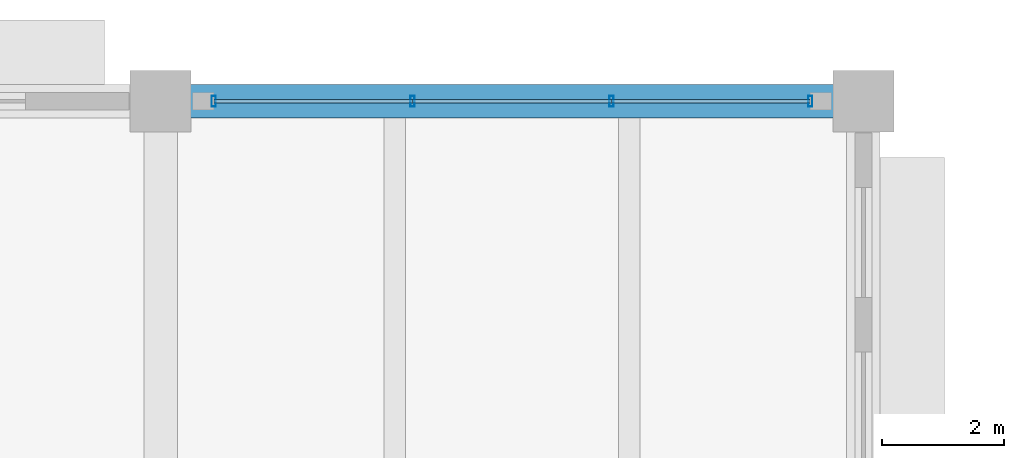
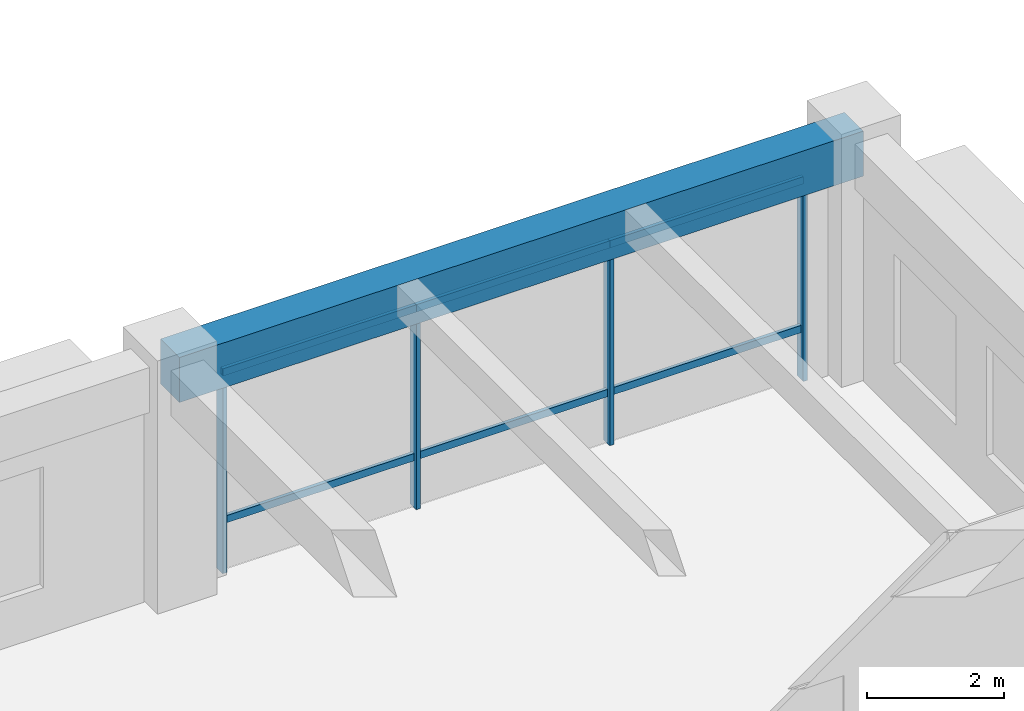
# One storey, part 74 of 154: 10 members, 1 beam, 1 element without a shape of its own.
"""IFC4 building model written with IfcOpenShell, lengths in metres."""

from ifc_helpers import new_model, si_unit, direction, frame, origin, origin_2d, place, context, subcontext, project, spatial, rectangle, hollow_rectangle, extrude, material, material_profile, profile_set, type_object, element, aggregate, save


model = new_model("IFC4")

# Units and contexts
model_context = context("Model", 3, precision=1e-05, world=origin(), true_north=direction((0.0, 1.0)))
body_context = subcontext(model_context, "Body", "Model", "MODEL_VIEW")
ifc_project = project(units=[si_unit("LENGTHUNIT", "METRE"), si_unit("AREAUNIT", "SQUARE_METRE"), si_unit("VOLUMEUNIT", "CUBIC_METRE"), si_unit("PLANEANGLEUNIT", "RADIAN"), si_unit("MASSUNIT", "GRAM", prefix="KILO")], contexts=[model_context])

# Site, building, storey
site_placement = place(None, origin())
site = spatial("IfcSite", under=ifc_project, at=site_placement, CompositionType="ELEMENT")
building_placement = place(site_placement, origin())
building = spatial("IfcBuilding", under=site, at=building_placement, Name="Ologun Quay Terminus", CompositionType="ELEMENT")
storey_placement = place(building_placement, frame((0.0, 0.0, 13.800048828125)))
storey = spatial("IfcBuildingStorey", under=building, at=storey_placement, Name="L03", CompositionType="ELEMENT", Elevation=13.800048828125)

# Beam
ifc_material_1 = material(Name="Concrete C40/50", Category="concrete")
ifc_material_profile_1 = material_profile(ifc_material_1, rectangle(XDim=0.550048828125, YDim=0.800048828125, at=origin_2d()), Name="RC 550x800")
ifc_profile_set_1 = profile_set([ifc_material_profile_1], Name="Concrete C40/50")
beam_type = type_object("IfcBeamType", Name="Courtyard Wing Primary Girder 550x800", PredefinedType="BEAM", material=ifc_profile_set_1)
beam_placement = place(storey_placement, frame((34.5, 114.800048828125, 3.849853515625), z_axis=(1.0, 0.0, 0.0), x_axis=(0.0, 1.0, 0.0)))
element("IfcBeam", 1, at=beam_placement, inside=storey, type_object=beam_type, Name="B4 Beam 4/K L03", PredefinedType="BEAM", context=body_context, shape_type="SweptSolid", body=[
    extrude(rectangle(XDim=0.550048828125, YDim=0.800048828125, at=origin_2d()), origin(), (0.0, 0.0, 1.0), 11.5),
])

# Curtain wall, members
ifc_material_2 = material(Name="Aluminium 6063-T6", Category="aluminium")
curtain_wall_type = type_object("IfcCurtainWallType", Name="Waterfront Pavilion Harbour Curtain Wall L03 10600x4150", PredefinedType="USERDEFINED", material=ifc_material_2)
curtain_wall_placement = place(storey_placement, origin())
curtain_wall = element("IfcCurtainWall", 2, at=curtain_wall_placement, inside=storey, type_object=curtain_wall_type, Name="CW-25 Curtain Wall CW-L03-114", ObjectType="UNITISED CURTAIN WALL", PredefinedType="USERDEFINED")
ifc_material_3 = material(Name="Aluminium 6063-T6", Category="aluminium")
ifc_material_profile_2 = material_profile(ifc_material_3, hollow_rectangle(XDim=0.070068359375, YDim=0.179931640625, WallThickness=0.0048828125, at=origin_2d()), Name="ALU 180x70x5")
ifc_profile_set_2 = profile_set([ifc_material_profile_2], Name="Aluminium 6063-T6")
member_type_1 = type_object("IfcMemberType", Name="Curtain Wall Heavy Mullion 180x70", PredefinedType="MULLION", material=ifc_profile_set_2)
member_1_placement = place(storey_placement, frame((35.3701171875, 114.800048828125, 0.0), z_axis=(0.0, 0.0, 1.0), x_axis=(1.0, 0.0, 0.0)))
member_1 = element("IfcMember", 3, at=member_1_placement, type_object=member_type_1, Name="CW-L03-114 Mullion 1", PredefinedType="MULLION", context=body_context, shape_type="SweptSolid", body=[
    extrude(hollow_rectangle(XDim=0.070068359375, YDim=0.179931640625, WallThickness=0.0048828125, at=origin_2d()), origin(), (0.0, 0.0, 1.0), 4.22998046875),
])
member_2_placement = place(storey_placement, frame((38.623291015625, 114.800048828125, 0.0), z_axis=(0.0, 0.0, 1.0), x_axis=(1.0, 0.0, 0.0)))
member_2 = element("IfcMember", 4, at=member_2_placement, type_object=member_type_1, Name="CW-L03-114 Mullion 2", PredefinedType="MULLION", context=body_context, shape_type="SweptSolid", body=[
    extrude(hollow_rectangle(XDim=0.070068359375, YDim=0.179931640625, WallThickness=0.0048828125, at=origin_2d()), origin(), (0.0, 0.0, 1.0), 4.22998046875),
])
member_3_placement = place(storey_placement, frame((41.876708984375, 114.800048828125, 0.0), z_axis=(0.0, 0.0, 1.0), x_axis=(1.0, 0.0, 0.0)))
member_3 = element("IfcMember", 5, at=member_3_placement, type_object=member_type_1, Name="CW-L03-114 Mullion 3", PredefinedType="MULLION", context=body_context, shape_type="SweptSolid", body=[
    extrude(hollow_rectangle(XDim=0.070068359375, YDim=0.179931640625, WallThickness=0.0048828125, at=origin_2d()), origin(), (0.0, 0.0, 1.0), 4.22998046875),
])
member_4_placement = place(storey_placement, frame((45.1298828125, 114.800048828125, 0.0), z_axis=(0.0, 0.0, 1.0), x_axis=(1.0, 0.0, 0.0)))
member_4 = element("IfcMember", 6, at=member_4_placement, type_object=member_type_1, Name="CW-L03-114 Mullion 4", PredefinedType="MULLION", context=body_context, shape_type="SweptSolid", body=[
    extrude(hollow_rectangle(XDim=0.070068359375, YDim=0.179931640625, WallThickness=0.0048828125, at=origin_2d()), origin(), (0.0, 0.0, 1.0), 4.22998046875),
])
ifc_material_4 = material(Name="Aluminium 6063-T6", Category="aluminium")
ifc_material_profile_3 = material_profile(ifc_material_4, hollow_rectangle(XDim=0.06005859375, YDim=0.1298828125, WallThickness=0.00390625, at=origin_2d()), Name="ALU 130x60x4")
ifc_profile_set_3 = profile_set([ifc_material_profile_3], Name="Aluminium 6063-T6")
member_type_2 = type_object("IfcMemberType", Name="Curtain Wall Heavy Transom 130x60", PredefinedType="USERDEFINED", material=ifc_profile_set_3)
member_5_placement = place(storey_placement, frame((35.3701171875, 114.800048828125, 0.89990234375), z_axis=(1.0, 0.0, 0.0), x_axis=(0.0, 1.0, 0.0)))
member_5 = element("IfcMember", 7, at=member_5_placement, type_object=member_type_2, Name="CW-L03-114 Transom B1-1", ObjectType="TRANSOM", PredefinedType="USERDEFINED", context=body_context, shape_type="SweptSolid", body=[
    extrude(hollow_rectangle(XDim=0.06005859375, YDim=0.1298828125, WallThickness=0.00390625, at=origin_2d()), origin(), (0.0, 0.0, 1.0), 3.253173828125),
])
member_6_placement = place(storey_placement, frame((35.3701171875, 114.800048828125, 3.530029296875), z_axis=(1.0, 0.0, 0.0), x_axis=(0.0, 1.0, 0.0)))
member_6 = element("IfcMember", 8, at=member_6_placement, type_object=member_type_2, Name="CW-L03-114 Transom B1-2", ObjectType="TRANSOM", PredefinedType="USERDEFINED", context=body_context, shape_type="SweptSolid", body=[
    extrude(hollow_rectangle(XDim=0.06005859375, YDim=0.1298828125, WallThickness=0.00390625, at=origin_2d()), origin(), (0.0, 0.0, 1.0), 3.253173828125),
])
member_7_placement = place(storey_placement, frame((38.623291015625, 114.800048828125, 0.89990234375), z_axis=(1.0, 0.0, 0.0), x_axis=(0.0, 1.0, 0.0)))
member_7 = element("IfcMember", 9, at=member_7_placement, type_object=member_type_2, Name="CW-L03-114 Transom B2-1", ObjectType="TRANSOM", PredefinedType="USERDEFINED", context=body_context, shape_type="SweptSolid", body=[
    extrude(hollow_rectangle(XDim=0.06005859375, YDim=0.1298828125, WallThickness=0.00390625, at=origin_2d()), origin(), (0.0, 0.0, 1.0), 3.25341796875),
])
member_8_placement = place(storey_placement, frame((38.623291015625, 114.800048828125, 3.530029296875), z_axis=(1.0, 0.0, 0.0), x_axis=(0.0, 1.0, 0.0)))
member_8 = element("IfcMember", 10, at=member_8_placement, type_object=member_type_2, Name="CW-L03-114 Transom B2-2", ObjectType="TRANSOM", PredefinedType="USERDEFINED", context=body_context, shape_type="SweptSolid", body=[
    extrude(hollow_rectangle(XDim=0.06005859375, YDim=0.1298828125, WallThickness=0.00390625, at=origin_2d()), origin(), (0.0, 0.0, 1.0), 3.25341796875),
])
member_9_placement = place(storey_placement, frame((41.876708984375, 114.800048828125, 0.89990234375), z_axis=(1.0, 0.0, 0.0), x_axis=(0.0, 1.0, 0.0)))
member_9 = element("IfcMember", 11, at=member_9_placement, type_object=member_type_2, Name="CW-L03-114 Transom B3-1", ObjectType="TRANSOM", PredefinedType="USERDEFINED", context=body_context, shape_type="SweptSolid", body=[
    extrude(hollow_rectangle(XDim=0.06005859375, YDim=0.1298828125, WallThickness=0.00390625, at=origin_2d()), origin(), (0.0, 0.0, 1.0), 3.253173828125),
])
member_10_placement = place(storey_placement, frame((41.876708984375, 114.800048828125, 3.530029296875), z_axis=(1.0, 0.0, 0.0), x_axis=(0.0, 1.0, 0.0)))
member_10 = element("IfcMember", 12, at=member_10_placement, type_object=member_type_2, Name="CW-L03-114 Transom B3-2", ObjectType="TRANSOM", PredefinedType="USERDEFINED", context=body_context, shape_type="SweptSolid", body=[
    extrude(hollow_rectangle(XDim=0.06005859375, YDim=0.1298828125, WallThickness=0.00390625, at=origin_2d()), origin(), (0.0, 0.0, 1.0), 3.253173828125),
])
aggregate(curtain_wall, [member_1, member_2, member_3, member_4, member_5, member_6, member_7, member_8, member_9, member_10])

save(model, "model.ifc")
